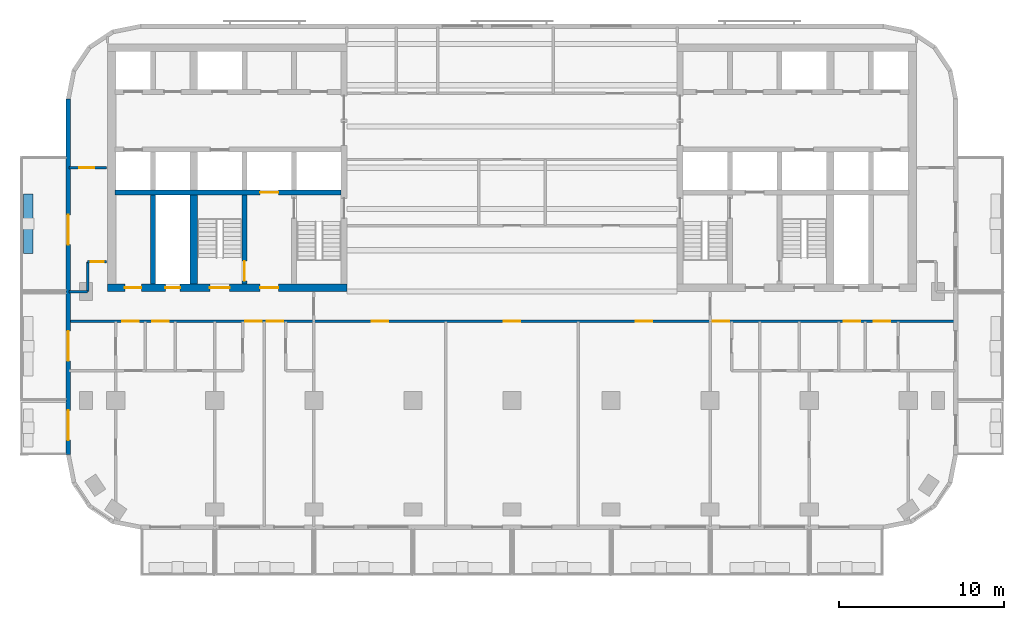
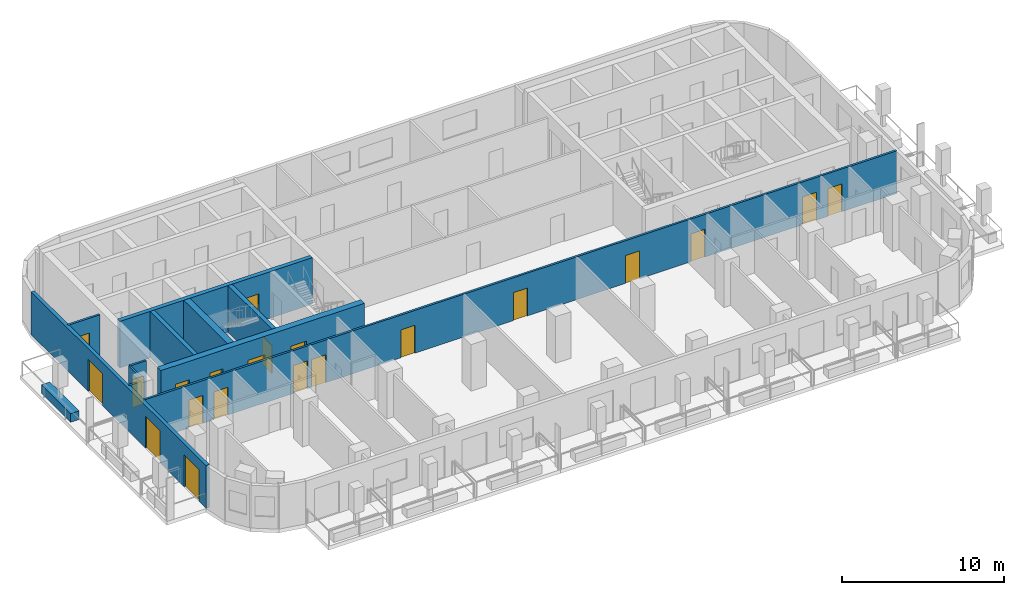
# One storey, part 3 of 11: 21 doors, 12 walls, 21 openings.
"""IFC4 building model written with IfcOpenShell, lengths in metres."""

from ifc_helpers import new_model, si_unit, direction, frame, frame_2d, origin, place, context, subcontext, project, spatial, rectangle, extrude, material, layer, layer_set, type_object, element, fill, save


model = new_model("IFC4")

# Units and contexts
model_context = context("Model", 3, precision=1e-05, world=origin(), true_north=direction((0.0, 1.0)))
body_context = subcontext(model_context, "Body", "Model", "MODEL_VIEW")
ifc_project = project(units=[si_unit("LENGTHUNIT", "METRE"), si_unit("AREAUNIT", "SQUARE_METRE"), si_unit("VOLUMEUNIT", "CUBIC_METRE"), si_unit("PLANEANGLEUNIT", "RADIAN"), si_unit("MASSUNIT", "GRAM", prefix="KILO")], contexts=[model_context])

# Site, building, storey
site_placement = place(None, origin())
site = spatial("IfcSite", under=ifc_project, at=site_placement, CompositionType="ELEMENT")
building_placement = place(site_placement, origin())
building = spatial("IfcBuilding", under=site, at=building_placement, Name="Torana Hotel and Residences", CompositionType="ELEMENT")
storey_placement = place(building_placement, frame((0.0, 0.0, 187.10009765625)))
storey = spatial("IfcBuildingStorey", under=building, at=storey_placement, Name="L48", CompositionType="ELEMENT", Elevation=187.10009765625)

# Wall, opening, door
ifc_material_1 = material(Name="Concrete C70/85", Category="concrete")
ifc_layer_1 = layer(ifc_material_1, 0.300048828125)
ifc_layer_set_1 = layer_set([ifc_layer_1], Name="CORE WALL 300 C70/85")
wall_type_1 = type_object("IfcWallType", Name="CORE WALL 300 C70/85", PredefinedType="SHEAR", material=ifc_layer_set_1)
wall_1_placement = place(storey_placement, frame((-24.050048828125, -9.0, 0.0), z_axis=(0.0, 0.0, 1.0), x_axis=(1.0, 0.0, 0.0)))
wall_1 = element("IfcWall", 1, at=wall_1_placement, inside=storey, type_object=wall_type_1, Name="Core wall W band", PredefinedType="SHEAR", context=body_context, shape_type="SweptSolid", body=[
    extrude(rectangle(XDim=13.699951171875, YDim=0.300048828125, at=frame_2d((6.85009765625, 0.0))), origin(), (0.0, 0.0, 1.0), 3.5),
])
opening_1_placement = place(wall_1_placement, frame((8.800048828125, 0.0, 0.0)))
opening_1 = element("IfcOpeningElement", 2, at=opening_1_placement, cuts=wall_1, Name="Opening LD", PredefinedType="OPENING", context=body_context, shape_type="SweptSolid", body=[
    extrude(rectangle(XDim=1.10009765625, YDim=2.10009765625, at=frame_2d((0.550048828125, 1.050048828125))), frame((0.0, 0.159912109375, 0.0), z_axis=(0.0, -1.0, 0.0), x_axis=(1.0, 0.0, 0.0)), (0.0, 0.0, 1.0), 0.320068359375),
])
ifc_material_2 = material(Name="Stainless steel 316", Category="steel")
door_type_1 = type_object("IfcDoorType", Name="LIFT LANDING DOOR LD 1100x2100", OperationType="DOUBLE_DOOR_SLIDING", PredefinedType="USERDEFINED", material=ifc_material_2)
door_1_placement = place(opening_1_placement, origin())
door_1 = element("IfcDoor", 3, at=door_1_placement, inside=storey, type_object=door_type_1, Name="Lift landing door FF1 L48", ObjectType="LIFT LANDING DOOR", OperationType="DOUBLE_DOOR_SLIDING", OverallHeight=2.10009765625, OverallWidth=1.10009765625, PredefinedType="USERDEFINED", context=body_context, shape_type="SweptSolid", body=[
    extrude(rectangle(XDim=1.10009765625, YDim=2.10009765625, at=frame_2d((0.550048828125, 1.050048828125))), frame((0.0, 0.02490234375, 0.0), z_axis=(0.0, -1.0, 0.0), x_axis=(1.0, 0.0, 0.0)), (0.0, 0.0, 1.0), 0.050048828125),
])
fill(opening_1, door_1)

wall_2_placement = place(storey_placement, frame((-16.199951171875, -14.550048828125, 0.0), z_axis=(0.0, 0.0, 1.0), x_axis=(0.0, 1.0, 0.0)))
wall_2 = element("IfcWall", 4, at=wall_2_placement, inside=storey, type_object=wall_type_1, Name="Core wall W x6.05-band", PredefinedType="SHEAR", context=body_context, shape_type="SweptSolid", body=[
    extrude(rectangle(XDim=5.400146484375, YDim=0.300048828125, at=frame_2d((2.7001953125, 0.0))), origin(), (0.0, 0.0, 1.0), 3.5),
])
opening_2_placement = place(wall_2_placement, frame((0.199951171875, 0.0, 0.0)))
opening_2 = element("IfcOpeningElement", 5, at=opening_2_placement, cuts=wall_2, Name="Opening L48-13", PredefinedType="OPENING", context=body_context, shape_type="SweptSolid", body=[
    extrude(rectangle(XDim=1.199951171875, YDim=2.10009765625, at=frame_2d((0.60009765625, 1.050048828125))), frame((0.0, 0.159912109375, 0.0), z_axis=(0.0, -1.0, 0.0), x_axis=(1.0, 0.0, 0.0)), (0.0, 0.0, 1.0), 0.320068359375),
])
ifc_material_3 = material(Name="Steel S235", Category="steel")
door_type_2 = type_object("IfcDoorType", Name="STAIR FIRE DOOR D3 1200x2100", OperationType="SINGLE_SWING_LEFT", PredefinedType="DOOR", material=ifc_material_3)
door_2_placement = place(opening_2_placement, origin())
door_2 = element("IfcDoor", 6, at=door_2_placement, inside=storey, type_object=door_type_2, Name="Stair-B-lobby door L48", OperationType="SINGLE_SWING_RIGHT", OverallHeight=2.10009765625, OverallWidth=1.199951171875, PredefinedType="DOOR", context=body_context, shape_type="SweptSolid", body=[
    extrude(rectangle(XDim=1.199951171875, YDim=2.10009765625, at=frame_2d((0.60009765625, 1.050048828125))), frame((0.0, 0.02490234375, 0.0), z_axis=(0.0, -1.0, 0.0), x_axis=(1.0, 0.0, 0.0)), (0.0, 0.0, 1.0), 0.050048828125),
])
fill(opening_2, door_2)

# Wall
wall_3_placement = place(storey_placement, frame((-21.75, -14.550048828125, 0.0), z_axis=(0.0, 0.0, 1.0), x_axis=(0.0, 1.0, 0.0)))
element("IfcWall", 7, at=wall_3_placement, inside=storey, type_object=wall_type_1, Name="Core wall W mm-band", PredefinedType="SHEAR", context=body_context, shape_type="SweptSolid", body=[
    extrude(rectangle(XDim=5.400146484375, YDim=0.300048828125, at=frame_2d((2.7001953125, 0.0))), origin(), (0.0, 0.0, 1.0), 3.5),
])

# Wall, openings, doors
ifc_material_4 = material(Name="Concrete C70/85", Category="concrete")
ifc_layer_2 = layer(ifc_material_4, 0.449951171875)
ifc_layer_set_2 = layer_set([ifc_layer_2], Name="CORE WALL 450 C70/85")
wall_type_2 = type_object("IfcWallType", Name="CORE WALL 450 C70/85", PredefinedType="SHEAR", material=ifc_layer_set_2)
wall_4_placement = place(storey_placement, frame((-24.5, -14.77490234375, 0.0), z_axis=(0.0, 0.0, 1.0), x_axis=(1.0, 0.0, 0.0)))
wall_4 = element("IfcWall", 8, at=wall_4_placement, inside=storey, type_object=wall_type_2, Name="Core wall W front", PredefinedType="SHEAR", context=body_context, shape_type="SweptSolid", body=[
    extrude(rectangle(XDim=14.5, YDim=0.449951171875, at=frame_2d((7.25, 0.0))), origin(), (0.0, 0.0, 1.0), 3.5),
])
opening_3_placement = place(wall_4_placement, frame((6.199951171875, 0.0, 0.0)))
opening_3 = element("IfcOpeningElement", 9, at=opening_3_placement, cuts=wall_4, Name="Opening L48-04", PredefinedType="OPENING", context=body_context, shape_type="SweptSolid", body=[
    extrude(rectangle(XDim=1.199951171875, YDim=2.10009765625, at=frame_2d((0.60009765625, 1.050048828125))), frame((0.0, 0.23486328125, 0.0), z_axis=(0.0, -1.0, 0.0), x_axis=(1.0, 0.0, 0.0)), (0.0, 0.0, 1.0), 0.469970703125),
])
opening_4_placement = place(wall_4_placement, frame((9.25, 0.0, 0.0)))
opening_4 = element("IfcOpeningElement", 10, at=opening_4_placement, cuts=wall_4, Name="Opening L48-05", PredefinedType="OPENING", context=body_context, shape_type="SweptSolid", body=[
    extrude(rectangle(XDim=1.10009765625, YDim=2.10009765625, at=frame_2d((0.550048828125, 1.050048828125))), frame((0.0, 0.23486328125, 0.0), z_axis=(0.0, -1.0, 0.0), x_axis=(1.0, 0.0, 0.0)), (0.0, 0.0, 1.0), 0.469970703125),
])
opening_5_placement = place(wall_4_placement, frame((3.5, 0.0, 0.0)))
opening_5 = element("IfcOpeningElement", 11, at=opening_5_placement, cuts=wall_4, Name="Opening L48-06", PredefinedType="OPENING", context=body_context, shape_type="SweptSolid", body=[
    extrude(rectangle(XDim=0.89990234375, YDim=2.10009765625, at=frame_2d((0.449951171875, 1.050048828125))), frame((0.0, 0.23486328125, 0.0), z_axis=(0.0, -1.0, 0.0), x_axis=(1.0, 0.0, 0.0)), (0.0, 0.0, 1.0), 0.469970703125),
])
opening_6_placement = place(wall_4_placement, frame((1.050048828125, 0.0, 0.0)))
opening_6 = element("IfcOpeningElement", 12, at=opening_6_placement, cuts=wall_4, Name="Opening L48-07", PredefinedType="OPENING", context=body_context, shape_type="SweptSolid", body=[
    extrude(rectangle(XDim=1.0, YDim=2.10009765625, at=frame_2d((0.5, 1.050048828125))), frame((0.0, 0.23486328125, 0.0), z_axis=(0.0, -1.0, 0.0), x_axis=(1.0, 0.0, 0.0)), (0.0, 0.0, 1.0), 0.469970703125),
])
ifc_material_5 = material(Name="Steel S235", Category="steel")
door_type_3 = type_object("IfcDoorType", Name="CORE ROOM FIRE DOOR D14 1000x2100", OperationType="SINGLE_SWING_LEFT", PredefinedType="DOOR", material=ifc_material_5)
door_3_placement = place(opening_6_placement, origin())
door_3 = element("IfcDoor", 13, at=door_3_placement, inside=storey, type_object=door_type_3, Name="M-Room door L48", OperationType="SINGLE_SWING_RIGHT", OverallHeight=2.10009765625, OverallWidth=1.0, PredefinedType="DOOR", context=body_context, shape_type="SweptSolid", body=[
    extrude(rectangle(XDim=1.0, YDim=2.10009765625, at=frame_2d((0.5, 1.050048828125))), frame((0.0, 0.02490234375, 0.0), z_axis=(0.0, -1.0, 0.0), x_axis=(1.0, 0.0, 0.0)), (0.0, 0.0, 1.0), 0.050048828125),
])
fill(opening_6, door_3)
ifc_material_6 = material(Name="Steel S235", Category="steel")
door_type_4 = type_object("IfcDoorType", Name="FIRE-FIGHTING LOBBY DOOR D8 1100x2100", OperationType="SINGLE_SWING_LEFT", PredefinedType="DOOR", material=ifc_material_6)
door_4_placement = place(opening_4_placement, origin())
door_4 = element("IfcDoor", 14, at=door_4_placement, inside=storey, type_object=door_type_4, Name="FF-lobby door L48", OperationType="SINGLE_SWING_RIGHT", OverallHeight=2.10009765625, OverallWidth=1.10009765625, PredefinedType="DOOR", context=body_context, shape_type="SweptSolid", body=[
    extrude(rectangle(XDim=1.10009765625, YDim=2.10009765625, at=frame_2d((0.550048828125, 1.050048828125))), frame((0.0, 0.02490234375, 0.0), z_axis=(0.0, -1.0, 0.0), x_axis=(1.0, 0.0, 0.0)), (0.0, 0.0, 1.0), 0.050048828125),
])
fill(opening_4, door_4)
ifc_material_7 = material(Name="Steel S235", Category="steel")
door_type_5 = type_object("IfcDoorType", Name="RISER ACCESS DOOR D5 900x2100", OperationType="SINGLE_SWING_LEFT", PredefinedType="DOOR", material=ifc_material_7)
door_5_placement = place(opening_5_placement, origin())
door_5 = element("IfcDoor", 15, at=door_5_placement, inside=storey, type_object=door_type_5, Name="M-Riser door L48", OperationType="SINGLE_SWING_RIGHT", OverallHeight=2.10009765625, OverallWidth=0.89990234375, PredefinedType="DOOR", context=body_context, shape_type="SweptSolid", body=[
    extrude(rectangle(XDim=0.89990234375, YDim=2.10009765625, at=frame_2d((0.449951171875, 1.050048828125))), frame((0.0, 0.02490234375, 0.0), z_axis=(0.0, -1.0, 0.0), x_axis=(1.0, 0.0, 0.0)), (0.0, 0.0, 1.0), 0.050048828125),
])
fill(opening_5, door_5)
door_6_placement = place(opening_3_placement, origin())
door_6 = element("IfcDoor", 16, at=door_6_placement, inside=storey, type_object=door_type_2, Name="Stair-B door L48", OperationType="SINGLE_SWING_RIGHT", OverallHeight=2.10009765625, OverallWidth=1.199951171875, PredefinedType="DOOR", context=body_context, shape_type="SweptSolid", body=[
    extrude(rectangle(XDim=1.199951171875, YDim=2.10009765625, at=frame_2d((0.60009765625, 1.050048828125))), frame((0.0, 0.02490234375, 0.0), z_axis=(0.0, -1.0, 0.0), x_axis=(1.0, 0.0, 0.0)), (0.0, 0.0, 1.0), 0.050048828125),
])
fill(opening_3, door_6)

# Wall
wall_5_placement = place(storey_placement, frame((-19.27490234375, -14.550048828125, 0.0), z_axis=(0.0, 0.0, 1.0), x_axis=(0.0, 1.0, 0.0)))
element("IfcWall", 17, at=wall_5_placement, inside=storey, type_object=wall_type_2, Name="Core wall W hm-band", PredefinedType="SHEAR", context=body_context, shape_type="SweptSolid", body=[
    extrude(rectangle(XDim=5.400146484375, YDim=0.449951171875, at=frame_2d((2.7001953125, 0.0))), origin(), (0.0, 0.0, 1.0), 3.5),
])

# Wall, openings, doors
ifc_material_8 = material(Name="Black aluminium composite panel", Category="aluminium")
ifc_layer_3 = layer(ifc_material_8, 0.00390625, Name="Cladding", Category="cladding")
ifc_material_9 = material(Name="Ventilated air cavity")
ifc_layer_4 = layer(ifc_material_9, 0.0400390625, Name="Ventilated cavity", Category="cavity")
ifc_material_10 = material(Name="Mineral wool insulation")
ifc_layer_5 = layer(ifc_material_10, 0.090087890625, Name="Insulation", Category="insulation")
ifc_material_11 = material(Name="Steel S280GD", Category="steel")
ifc_layer_6 = layer(ifc_material_11, 0.092041015625, Name="Steel stud frame", Category="structure")
ifc_material_12 = material(Name="Fire rated plasterboard")
ifc_layer_7 = layer(ifc_material_12, 0.011962890625, Name="Inner board", Category="finish")
ifc_layer_8 = layer(ifc_material_12, 0.011962890625, Name="Second board", Category="finish")
ifc_layer_set_3 = layer_set([ifc_layer_3, ifc_layer_4, ifc_layer_5, ifc_layer_6, ifc_layer_7, ifc_layer_8], Name="EW1 EXTERNAL WALL BLACK METAL CLAD 250")
wall_type_3 = type_object("IfcWallType", Name="EW1 EXTERNAL WALL BLACK METAL CLAD 250", PredefinedType="SOLIDWALL", material=ifc_layer_set_3)
wall_6_placement = place(storey_placement, frame((-26.875, -3.32470703125, 0.0), z_axis=(0.0, 0.0, 1.0), x_axis=(0.0, -1.0, 0.0)))
wall_6 = element("IfcWall", 18, at=wall_6_placement, inside=storey, type_object=wall_type_3, Name="External wall L48 e0.9", PredefinedType="SOLIDWALL", context=body_context, shape_type="SweptSolid", body=[
    extrude(rectangle(XDim=21.55078125, YDim=0.25, at=frame_2d((10.775390625, 0.0))), origin(), (0.0, 0.0, 1.0), 3.219970703125),
])
opening_7_placement = place(wall_6_placement, frame((7.025390625, 0.0, 0.0)))
opening_7 = element("IfcOpeningElement", 19, at=opening_7_placement, cuts=wall_6, Name="Opening L48-E12", PredefinedType="OPENING", context=body_context, shape_type="SweptSolid", body=[
    extrude(rectangle(XDim=1.800048828125, YDim=2.39990234375, at=frame_2d((0.89990234375, 1.199951171875))), frame((0.0, 0.135009765625, 0.0), z_axis=(0.0, -1.0, 0.0), x_axis=(1.0, 0.0, 0.0)), (0.0, 0.0, 1.0), 0.27001953125),
])
opening_8_placement = place(wall_6_placement, frame((14.075439453125, 0.0, 0.0)))
opening_8 = element("IfcOpeningElement", 20, at=opening_8_placement, cuts=wall_6, Name="Opening L48-E13", PredefinedType="OPENING", context=body_context, shape_type="SweptSolid", body=[
    extrude(rectangle(XDim=1.800048828125, YDim=2.39990234375, at=frame_2d((0.89990234375, 1.199951171875))), frame((0.0, 0.135009765625, 0.0), z_axis=(0.0, -1.0, 0.0), x_axis=(1.0, 0.0, 0.0)), (0.0, 0.0, 1.0), 0.27001953125),
])
opening_9_placement = place(wall_6_placement, frame((18.87548828125, 0.0, 0.0)))
opening_9 = element("IfcOpeningElement", 21, at=opening_9_placement, cuts=wall_6, Name="Opening L48-E14", PredefinedType="OPENING", context=body_context, shape_type="SweptSolid", body=[
    extrude(rectangle(XDim=1.800048828125, YDim=2.39990234375, at=frame_2d((0.89990234375, 1.199951171875))), frame((0.0, 0.135009765625, 0.0), z_axis=(0.0, -1.0, 0.0), x_axis=(1.0, 0.0, 0.0)), (0.0, 0.0, 1.0), 0.27001953125),
])
ifc_material_13 = material(Name="Dark glass in black aluminium frame", Category="aluminium")
door_type_6 = type_object("IfcDoorType", Name="DB1 BALCONY DOOR 1800x2400", OperationType="DOUBLE_DOOR_SINGLE_SWING", PredefinedType="DOOR", material=ifc_material_13)
door_7_placement = place(opening_7_placement, origin())
door_7 = element("IfcDoor", 22, at=door_7_placement, inside=storey, type_object=door_type_6, Name="Balcony door L48", OperationType="DOUBLE_DOOR_SINGLE_SWING", OverallHeight=2.39990234375, OverallWidth=1.800048828125, PredefinedType="DOOR", context=body_context, shape_type="SweptSolid", body=[
    extrude(rectangle(XDim=1.800048828125, YDim=2.39990234375, at=frame_2d((0.89990234375, 1.199951171875))), frame((0.0, 0.02490234375, 0.0), z_axis=(0.0, -1.0, 0.0), x_axis=(1.0, 0.0, 0.0)), (0.0, 0.0, 1.0), 0.050048828125),
])
fill(opening_7, door_7)
door_8_placement = place(opening_8_placement, origin())
door_8 = element("IfcDoor", 23, at=door_8_placement, inside=storey, type_object=door_type_6, Name="Balcony door L48", OperationType="DOUBLE_DOOR_SINGLE_SWING", OverallHeight=2.39990234375, OverallWidth=1.800048828125, PredefinedType="DOOR", context=body_context, shape_type="SweptSolid", body=[
    extrude(rectangle(XDim=1.800048828125, YDim=2.39990234375, at=frame_2d((0.89990234375, 1.199951171875))), frame((0.0, 0.02490234375, 0.0), z_axis=(0.0, -1.0, 0.0), x_axis=(1.0, 0.0, 0.0)), (0.0, 0.0, 1.0), 0.050048828125),
])
fill(opening_8, door_8)
door_9_placement = place(opening_9_placement, origin())
door_9 = element("IfcDoor", 24, at=door_9_placement, inside=storey, type_object=door_type_6, Name="Balcony door L48", OperationType="DOUBLE_DOOR_SINGLE_SWING", OverallHeight=2.39990234375, OverallWidth=1.800048828125, PredefinedType="DOOR", context=body_context, shape_type="SweptSolid", body=[
    extrude(rectangle(XDim=1.800048828125, YDim=2.39990234375, at=frame_2d((0.89990234375, 1.199951171875))), frame((0.0, 0.02490234375, 0.0), z_axis=(0.0, -1.0, 0.0), x_axis=(1.0, 0.0, 0.0)), (0.0, 0.0, 1.0), 0.050048828125),
])
fill(opening_9, door_9)

# Wall
ifc_material_14 = material(Name="Gypsum plaster")
ifc_layer_9 = layer(ifc_material_14, 0.014892578125, Name="Plaster", Category="finish")
ifc_material_15 = material(Name="Concrete blockwork", Category="masonry")
ifc_layer_10 = layer(ifc_material_15, 0.1201171875, Name="Blockwork", Category="structure")
ifc_layer_11 = layer(ifc_material_14, 0.014892578125, Name="Plaster", Category="finish")
ifc_layer_set_4 = layer_set([ifc_layer_9, ifc_layer_10, ifc_layer_11], Name="FIRE PARTITION 150 BLOCKWORK")
wall_type_4 = type_object("IfcWallType", Name="FIRE PARTITION 150 BLOCKWORK", PredefinedType="PARTITIONING", material=ifc_layer_set_4)
wall_7_placement = place(storey_placement, frame((-25.699951171875, -15.0, 0.0), z_axis=(0.0, 0.0, 1.0), x_axis=(0.0, 1.0, 0.0)))
element("IfcWall", 25, at=wall_7_placement, inside=storey, type_object=wall_type_4, Name="Partition L48", PredefinedType="PARTITIONING", context=body_context, shape_type="SweptSolid", body=[
    extrude(rectangle(XDim=1.800048828125, YDim=0.14990234375, at=frame_2d((0.89990234375, 0.0))), origin(), (0.0, 0.0, 1.0), 3.219970703125),
])

# Wall, openings, doors
wall_8_placement = place(storey_placement, frame((-26.820068359375, -16.800048828125, 0.0), z_axis=(0.0, 0.0, 1.0), x_axis=(1.0, 0.0, 0.0)))
wall_8 = element("IfcWall", 26, at=wall_8_placement, inside=storey, type_object=wall_type_4, Name="Partition L48", PredefinedType="PARTITIONING", context=body_context, shape_type="SweptSolid", body=[
    extrude(rectangle(XDim=53.64013671875, YDim=0.14990234375, at=frame_2d((26.820068359375, 0.0))), origin(), (0.0, 0.0, 1.0), 3.219970703125),
])
opening_10_placement = place(wall_8_placement, frame((11.969970703125, 0.0, 0.0)))
opening_10 = element("IfcOpeningElement", 27, at=opening_10_placement, cuts=wall_8, Name="Opening L48-28", PredefinedType="OPENING", context=body_context, shape_type="SweptSolid", body=[
    extrude(rectangle(XDim=1.0, YDim=2.10009765625, at=frame_2d((0.5, 1.050048828125))), frame((0.0, 0.0849609375, 0.0), z_axis=(0.0, -1.0, 0.0), x_axis=(1.0, 0.0, 0.0)), (0.0, 0.0, 1.0), 0.169921875),
])
opening_11_placement = place(wall_8_placement, frame((10.669921875, 0.0, 0.0)))
opening_11 = element("IfcOpeningElement", 28, at=opening_11_placement, cuts=wall_8, Name="Opening L48-29", PredefinedType="OPENING", context=body_context, shape_type="SweptSolid", body=[
    extrude(rectangle(XDim=1.0, YDim=2.10009765625, at=frame_2d((0.5, 1.050048828125))), frame((0.0, 0.0849609375, 0.0), z_axis=(0.0, -1.0, 0.0), x_axis=(1.0, 0.0, 0.0)), (0.0, 0.0, 1.0), 0.169921875),
])
opening_12_placement = place(wall_8_placement, frame((3.219970703125, 0.0, 0.0)))
opening_12 = element("IfcOpeningElement", 29, at=opening_12_placement, cuts=wall_8, Name="Opening L48-30", PredefinedType="OPENING", context=body_context, shape_type="SweptSolid", body=[
    extrude(rectangle(XDim=1.0, YDim=2.10009765625, at=frame_2d((0.5, 1.050048828125))), frame((0.0, 0.0849609375, 0.0), z_axis=(0.0, -1.0, 0.0), x_axis=(1.0, 0.0, 0.0)), (0.0, 0.0, 1.0), 0.169921875),
])
opening_13_placement = place(wall_8_placement, frame((5.02001953125, 0.0, 0.0)))
opening_13 = element("IfcOpeningElement", 30, at=opening_13_placement, cuts=wall_8, Name="Opening L48-31", PredefinedType="OPENING", context=body_context, shape_type="SweptSolid", body=[
    extrude(rectangle(XDim=1.0, YDim=2.10009765625, at=frame_2d((0.5, 1.050048828125))), frame((0.0, 0.0849609375, 0.0), z_axis=(0.0, -1.0, 0.0), x_axis=(1.0, 0.0, 0.0)), (0.0, 0.0, 1.0), 0.169921875),
])
opening_14_placement = place(wall_8_placement, frame((38.969970703125, 0.0, 0.0)))
opening_14 = element("IfcOpeningElement", 31, at=opening_14_placement, cuts=wall_8, Name="Opening L48-34", PredefinedType="OPENING", context=body_context, shape_type="SweptSolid", body=[
    extrude(rectangle(XDim=1.0, YDim=2.10009765625, at=frame_2d((0.5, 1.050048828125))), frame((0.0, 0.0849609375, 0.0), z_axis=(0.0, -1.0, 0.0), x_axis=(1.0, 0.0, 0.0)), (0.0, 0.0, 1.0), 0.169921875),
])
opening_15_placement = place(wall_8_placement, frame((48.719970703125, 0.0, 0.0)))
opening_15 = element("IfcOpeningElement", 32, at=opening_15_placement, cuts=wall_8, Name="Opening L48-35", PredefinedType="OPENING", context=body_context, shape_type="SweptSolid", body=[
    extrude(rectangle(XDim=1.0, YDim=2.10009765625, at=frame_2d((0.5, 1.050048828125))), frame((0.0, 0.0849609375, 0.0), z_axis=(0.0, -1.0, 0.0), x_axis=(1.0, 0.0, 0.0)), (0.0, 0.0, 1.0), 0.169921875),
])
opening_16_placement = place(wall_8_placement, frame((46.919921875, 0.0, 0.0)))
opening_16 = element("IfcOpeningElement", 33, at=opening_16_placement, cuts=wall_8, Name="Opening L48-36", PredefinedType="OPENING", context=body_context, shape_type="SweptSolid", body=[
    extrude(rectangle(XDim=1.0, YDim=2.10009765625, at=frame_2d((0.5, 1.050048828125))), frame((0.0, 0.0849609375, 0.0), z_axis=(0.0, -1.0, 0.0), x_axis=(1.0, 0.0, 0.0)), (0.0, 0.0, 1.0), 0.169921875),
])
opening_17_placement = place(wall_8_placement, frame((18.320068359375, 0.0, 0.0)))
opening_17 = element("IfcOpeningElement", 34, at=opening_17_placement, cuts=wall_8, Name="Opening L48-39", PredefinedType="OPENING", context=body_context, shape_type="SweptSolid", body=[
    extrude(rectangle(XDim=1.0, YDim=2.10009765625, at=frame_2d((0.5, 1.050048828125))), frame((0.0, 0.0849609375, 0.0), z_axis=(0.0, -1.0, 0.0), x_axis=(1.0, 0.0, 0.0)), (0.0, 0.0, 1.0), 0.169921875),
])
opening_18_placement = place(wall_8_placement, frame((26.320068359375, 0.0, 0.0)))
opening_18 = element("IfcOpeningElement", 35, at=opening_18_placement, cuts=wall_8, Name="Opening L48-40", PredefinedType="OPENING", context=body_context, shape_type="SweptSolid", body=[
    extrude(rectangle(XDim=1.0, YDim=2.10009765625, at=frame_2d((0.5, 1.050048828125))), frame((0.0, 0.0849609375, 0.0), z_axis=(0.0, -1.0, 0.0), x_axis=(1.0, 0.0, 0.0)), (0.0, 0.0, 1.0), 0.169921875),
])
opening_19_placement = place(wall_8_placement, frame((34.320068359375, 0.0, 0.0)))
opening_19 = element("IfcOpeningElement", 36, at=opening_19_placement, cuts=wall_8, Name="Opening L48-41", PredefinedType="OPENING", context=body_context, shape_type="SweptSolid", body=[
    extrude(rectangle(XDim=1.0, YDim=2.10009765625, at=frame_2d((0.5, 1.050048828125))), frame((0.0, 0.0849609375, 0.0), z_axis=(0.0, -1.0, 0.0), x_axis=(1.0, 0.0, 0.0)), (0.0, 0.0, 1.0), 0.169921875),
])
ifc_material_16 = material(Name="Steel S235", Category="steel")
door_type_7 = type_object("IfcDoorType", Name="ENTRY FIRE DOOR D6 1000x2100", OperationType="SINGLE_SWING_LEFT", PredefinedType="DOOR", material=ifc_material_16)
door_10_placement = place(opening_10_placement, frame((0.5, 0.0, 0.0), z_axis=(0.0, 0.0, 1.0), x_axis=(-1.0, 0.0, 0.0)))
door_10 = element("IfcDoor", 37, at=door_10_placement, inside=storey, type_object=door_type_7, Name="Door L48", OperationType="SINGLE_SWING_LEFT", OverallHeight=2.10009765625, OverallWidth=1.0, PredefinedType="DOOR", context=body_context, shape_type="SweptSolid", body=[
    extrude(rectangle(XDim=1.0, YDim=2.10009765625, at=frame_2d((0.0, 1.050048828125))), frame((0.0, -0.02490234375, 0.0), z_axis=(0.0, 1.0, 0.0), x_axis=(-1.0, 0.0, 0.0)), (0.0, 0.0, 1.0), 0.050048828125),
])
fill(opening_10, door_10)
door_11_placement = place(opening_11_placement, frame((0.5, 0.0, 0.0), z_axis=(0.0, 0.0, 1.0), x_axis=(-1.0, 0.0, 0.0)))
door_11 = element("IfcDoor", 38, at=door_11_placement, inside=storey, type_object=door_type_7, Name="Door L48", OperationType="SINGLE_SWING_LEFT", OverallHeight=2.10009765625, OverallWidth=1.0, PredefinedType="DOOR", context=body_context, shape_type="SweptSolid", body=[
    extrude(rectangle(XDim=1.0, YDim=2.10009765625, at=frame_2d((0.0, 1.050048828125))), frame((0.0, -0.02490234375, 0.0), z_axis=(0.0, 1.0, 0.0), x_axis=(-1.0, 0.0, 0.0)), (0.0, 0.0, 1.0), 0.050048828125),
])
fill(opening_11, door_11)
door_12_placement = place(opening_12_placement, origin())
door_12 = element("IfcDoor", 39, at=door_12_placement, inside=storey, type_object=door_type_7, Name="Door L48", OperationType="SINGLE_SWING_RIGHT", OverallHeight=2.10009765625, OverallWidth=1.0, PredefinedType="DOOR", context=body_context, shape_type="SweptSolid", body=[
    extrude(rectangle(XDim=1.0, YDim=2.10009765625, at=frame_2d((0.5, 1.050048828125))), frame((0.0, 0.02490234375, 0.0), z_axis=(0.0, -1.0, 0.0), x_axis=(1.0, 0.0, 0.0)), (0.0, 0.0, 1.0), 0.050048828125),
])
fill(opening_12, door_12)
door_13_placement = place(opening_13_placement, frame((0.5, 0.0, 0.0), z_axis=(0.0, 0.0, 1.0), x_axis=(-1.0, 0.0, 0.0)))
door_13 = element("IfcDoor", 40, at=door_13_placement, inside=storey, type_object=door_type_7, Name="Door L48", OperationType="SINGLE_SWING_LEFT", OverallHeight=2.10009765625, OverallWidth=1.0, PredefinedType="DOOR", context=body_context, shape_type="SweptSolid", body=[
    extrude(rectangle(XDim=1.0, YDim=2.10009765625, at=frame_2d((0.0, 1.050048828125))), frame((0.0, -0.02490234375, 0.0), z_axis=(0.0, 1.0, 0.0), x_axis=(-1.0, 0.0, 0.0)), (0.0, 0.0, 1.0), 0.050048828125),
])
fill(opening_13, door_13)
door_14_placement = place(opening_14_placement, frame((0.5, 0.0, 0.0), z_axis=(0.0, 0.0, 1.0), x_axis=(-1.0, 0.0, 0.0)))
door_14 = element("IfcDoor", 41, at=door_14_placement, inside=storey, type_object=door_type_7, Name="Door L48", OperationType="SINGLE_SWING_LEFT", OverallHeight=2.10009765625, OverallWidth=1.0, PredefinedType="DOOR", context=body_context, shape_type="SweptSolid", body=[
    extrude(rectangle(XDim=1.0, YDim=2.10009765625, at=frame_2d((0.0, 1.050048828125))), frame((0.0, -0.02490234375, 0.0), z_axis=(0.0, 1.0, 0.0), x_axis=(-1.0, 0.0, 0.0)), (0.0, 0.0, 1.0), 0.050048828125),
])
fill(opening_14, door_14)
door_15_placement = place(opening_15_placement, origin())
door_15 = element("IfcDoor", 42, at=door_15_placement, inside=storey, type_object=door_type_7, Name="Door L48", OperationType="SINGLE_SWING_RIGHT", OverallHeight=2.10009765625, OverallWidth=1.0, PredefinedType="DOOR", context=body_context, shape_type="SweptSolid", body=[
    extrude(rectangle(XDim=1.0, YDim=2.10009765625, at=frame_2d((0.5, 1.050048828125))), frame((0.0, 0.02490234375, 0.0), z_axis=(0.0, -1.0, 0.0), x_axis=(1.0, 0.0, 0.0)), (0.0, 0.0, 1.0), 0.050048828125),
])
fill(opening_15, door_15)
door_16_placement = place(opening_16_placement, frame((0.5, 0.0, 0.0), z_axis=(0.0, 0.0, 1.0), x_axis=(-1.0, 0.0, 0.0)))
door_16 = element("IfcDoor", 43, at=door_16_placement, inside=storey, type_object=door_type_7, Name="Door L48", OperationType="SINGLE_SWING_LEFT", OverallHeight=2.10009765625, OverallWidth=1.0, PredefinedType="DOOR", context=body_context, shape_type="SweptSolid", body=[
    extrude(rectangle(XDim=1.0, YDim=2.10009765625, at=frame_2d((0.0, 1.050048828125))), frame((0.0, -0.02490234375, 0.0), z_axis=(0.0, 1.0, 0.0), x_axis=(-1.0, 0.0, 0.0)), (0.0, 0.0, 1.0), 0.050048828125),
])
fill(opening_16, door_16)
door_17_placement = place(opening_17_placement, frame((0.5, 0.0, 0.0), z_axis=(0.0, 0.0, 1.0), x_axis=(-1.0, 0.0, 0.0)))
door_17 = element("IfcDoor", 44, at=door_17_placement, inside=storey, type_object=door_type_7, Name="Door L48", OperationType="SINGLE_SWING_LEFT", OverallHeight=2.10009765625, OverallWidth=1.0, PredefinedType="DOOR", context=body_context, shape_type="SweptSolid", body=[
    extrude(rectangle(XDim=1.0, YDim=2.10009765625, at=frame_2d((0.0, 1.050048828125))), frame((0.0, -0.02490234375, 0.0), z_axis=(0.0, 1.0, 0.0), x_axis=(-1.0, 0.0, 0.0)), (0.0, 0.0, 1.0), 0.050048828125),
])
fill(opening_17, door_17)
door_18_placement = place(opening_18_placement, frame((0.5, 0.0, 0.0), z_axis=(0.0, 0.0, 1.0), x_axis=(-1.0, 0.0, 0.0)))
door_18 = element("IfcDoor", 45, at=door_18_placement, inside=storey, type_object=door_type_7, Name="Door L48", OperationType="SINGLE_SWING_LEFT", OverallHeight=2.10009765625, OverallWidth=1.0, PredefinedType="DOOR", context=body_context, shape_type="SweptSolid", body=[
    extrude(rectangle(XDim=1.0, YDim=2.10009765625, at=frame_2d((0.0, 1.050048828125))), frame((0.0, -0.02490234375, 0.0), z_axis=(0.0, 1.0, 0.0), x_axis=(-1.0, 0.0, 0.0)), (0.0, 0.0, 1.0), 0.050048828125),
])
fill(opening_18, door_18)
door_19_placement = place(opening_19_placement, frame((0.5, 0.0, 0.0), z_axis=(0.0, 0.0, 1.0), x_axis=(-1.0, 0.0, 0.0)))
door_19 = element("IfcDoor", 46, at=door_19_placement, inside=storey, type_object=door_type_7, Name="Door L48", OperationType="SINGLE_SWING_LEFT", OverallHeight=2.10009765625, OverallWidth=1.0, PredefinedType="DOOR", context=body_context, shape_type="SweptSolid", body=[
    extrude(rectangle(XDim=1.0, YDim=2.10009765625, at=frame_2d((0.0, 1.050048828125))), frame((0.0, -0.02490234375, 0.0), z_axis=(0.0, 1.0, 0.0), x_axis=(-1.0, 0.0, 0.0)), (0.0, 0.0, 1.0), 0.050048828125),
])
fill(opening_19, door_19)

# Wall
wall_9_placement = place(storey_placement, frame((-26.820068359375, -15.0, 0.0), z_axis=(0.0, 0.0, 1.0), x_axis=(1.0, 0.0, 0.0)))
element("IfcWall", 47, at=wall_9_placement, inside=storey, type_object=wall_type_4, Name="Partition L48", PredefinedType="PARTITIONING", context=body_context, shape_type="SweptSolid", body=[
    extrude(rectangle(XDim=1.1201171875, YDim=0.14990234375, at=frame_2d((0.56005859375, 0.0))), origin(), (0.0, 0.0, 1.0), 3.219970703125),
])

# Wall, opening, door
wall_10_placement = place(storey_placement, frame((-25.699951171875, -13.199951171875, 0.0), z_axis=(0.0, 0.0, 1.0), x_axis=(1.0, 0.0, 0.0)))
wall_10 = element("IfcWall", 48, at=wall_10_placement, inside=storey, type_object=wall_type_4, Name="Partition L48", PredefinedType="PARTITIONING", context=body_context, shape_type="SweptSolid", body=[
    extrude(rectangle(XDim=1.14990234375, YDim=0.14990234375, at=frame_2d((0.574951171875, 0.0))), origin(), (0.0, 0.0, 1.0), 3.219970703125),
])
opening_20_placement = place(wall_10_placement, frame((0.175048828125, 0.0, 0.0)))
opening_20 = element("IfcOpeningElement", 49, at=opening_20_placement, cuts=wall_10, Name="Opening L48-32", PredefinedType="OPENING", context=body_context, shape_type="SweptSolid", body=[
    extrude(rectangle(XDim=0.800048828125, YDim=2.10009765625, at=frame_2d((0.39990234375, 1.050048828125))), frame((0.0, 0.0849609375, 0.0), z_axis=(0.0, -1.0, 0.0), x_axis=(1.0, 0.0, 0.0)), (0.0, 0.0, 1.0), 0.169921875),
])
ifc_material_17 = material(Name="Steel S235", Category="steel")
door_type_8 = type_object("IfcDoorType", Name="STORE FIRE DOOR D16 800x2100", OperationType="SINGLE_SWING_LEFT", PredefinedType="DOOR", material=ifc_material_17)
door_20_placement = place(opening_20_placement, origin())
door_20 = element("IfcDoor", 50, at=door_20_placement, inside=storey, type_object=door_type_8, Name="Door L48", OperationType="SINGLE_SWING_LEFT", OverallHeight=2.10009765625, OverallWidth=0.800048828125, PredefinedType="DOOR", context=body_context, shape_type="SweptSolid", body=[
    extrude(rectangle(XDim=0.800048828125, YDim=2.10009765625, at=frame_2d((0.39990234375, 1.050048828125))), frame((0.0, 0.02490234375, 0.0), z_axis=(0.0, -1.0, 0.0), x_axis=(1.0, 0.0, 0.0)), (0.0, 0.0, 1.0), 0.050048828125),
])
fill(opening_20, door_20)

ifc_material_18 = material(Name="Gypsum plasterboard")
ifc_layer_12 = layer(ifc_material_18, 0.012451171875, Name="Plasterboard", Category="finish")
ifc_layer_13 = layer(ifc_material_18, 0.012451171875, Name="Plasterboard", Category="finish")
ifc_layer_14 = layer(ifc_material_11, 0.10009765625, Name="Steel studs with mineral wool", Category="insulation")
ifc_layer_15 = layer(ifc_material_18, 0.012451171875, Name="Plasterboard", Category="finish")
ifc_layer_16 = layer(ifc_material_18, 0.012451171875, Name="Plasterboard", Category="finish")
ifc_layer_set_5 = layer_set([ifc_layer_12, ifc_layer_13, ifc_layer_14, ifc_layer_15, ifc_layer_16], Name="PARTITION 150 PLASTERBOARD")
wall_type_5 = type_object("IfcWallType", Name="PARTITION 150 PLASTERBOARD", PredefinedType="PARTITIONING", material=ifc_layer_set_5)
wall_11_placement = place(storey_placement, frame((-26.820068359375, -7.5, 0.0), z_axis=(0.0, 0.0, 1.0), x_axis=(1.0, 0.0, 0.0)))
wall_11 = element("IfcWall", 51, at=wall_11_placement, inside=storey, type_object=wall_type_5, Name="Partition L48", PredefinedType="PARTITIONING", context=body_context, shape_type="SweptSolid", body=[
    extrude(rectangle(XDim=2.27001953125, YDim=0.14990234375, at=frame_2d((1.135009765625, 0.0))), origin(), (0.0, 0.0, 1.0), 3.219970703125),
])
opening_21_placement = place(wall_11_placement, frame((0.6201171875, 0.0, 0.0)))
opening_21 = element("IfcOpeningElement", 52, at=opening_21_placement, cuts=wall_11, Name="Opening L48-62", PredefinedType="OPENING", context=body_context, shape_type="SweptSolid", body=[
    extrude(rectangle(XDim=0.89990234375, YDim=2.10009765625, at=frame_2d((0.449951171875, 1.050048828125))), frame((0.0, 0.0849609375, 0.0), z_axis=(0.0, -1.0, 0.0), x_axis=(1.0, 0.0, 0.0)), (0.0, 0.0, 1.0), 0.169921875),
])
ifc_material_19 = material(Name="Timber door, oiled ash", Category="wood")
door_type_9 = type_object("IfcDoorType", Name="ROOM DOOR D7 900x2100", OperationType="SINGLE_SWING_LEFT", PredefinedType="DOOR", material=ifc_material_19)
door_21_placement = place(opening_21_placement, origin())
door_21 = element("IfcDoor", 53, at=door_21_placement, inside=storey, type_object=door_type_9, Name="Door L48", OperationType="SINGLE_SWING_RIGHT", OverallHeight=2.10009765625, OverallWidth=0.89990234375, PredefinedType="DOOR", context=body_context, shape_type="SweptSolid", body=[
    extrude(rectangle(XDim=0.89990234375, YDim=2.10009765625, at=frame_2d((0.449951171875, 1.050048828125))), frame((0.0, 0.02490234375, 0.0), z_axis=(0.0, -1.0, 0.0), x_axis=(1.0, 0.0, 0.0)), (0.0, 0.0, 1.0), 0.050048828125),
])
fill(opening_21, door_21)

# Wall
ifc_material_20 = material(Name="Concrete C40/50 precast", Category="concrete")
ifc_layer_17 = layer(ifc_material_20, 0.10009765625, Name="Planter shell", Category="structure")
ifc_material_21 = material(Name="Root resistant membrane")
ifc_layer_18 = layer(ifc_material_21, 0.00390625, Name="Waterproofing membrane", Category="membrane")
ifc_material_22 = material(Name="Drainage board with filter fleece")
ifc_layer_19 = layer(ifc_material_22, 0.02001953125, Name="Drainage board", Category="drainage")
ifc_material_23 = material(Name="Growing medium")
ifc_layer_20 = layer(ifc_material_23, 0.47607421875, Name="Planting substrate", Category="soil")
ifc_layer_set_6 = layer_set([ifc_layer_17, ifc_layer_18, ifc_layer_19, ifc_layer_20], Name="PL1 BALCONY PLANTER 600")
wall_type_6 = type_object("IfcWallType", Name="PL1 BALCONY PLANTER 600", PredefinedType="USERDEFINED", material=ifc_layer_set_6)
wall_12_placement = place(storey_placement, frame((-29.300048828125, -12.699951171875, 0.0), z_axis=(0.0, 0.0, 1.0), x_axis=(0.0, 1.0, 0.0)))
element("IfcWall", 54, at=wall_12_placement, inside=storey, type_object=wall_type_6, Name="Planter 11", ObjectType="PLANTER", PredefinedType="USERDEFINED", context=body_context, shape_type="SweptSolid", body=[
    extrude(rectangle(XDim=3.599853515625, YDim=0.60009765625, at=frame_2d((1.7998046875, 0.0))), origin(), (0.0, 0.0, 1.0), 0.64990234375),
])

save(model, "model.ifc")
